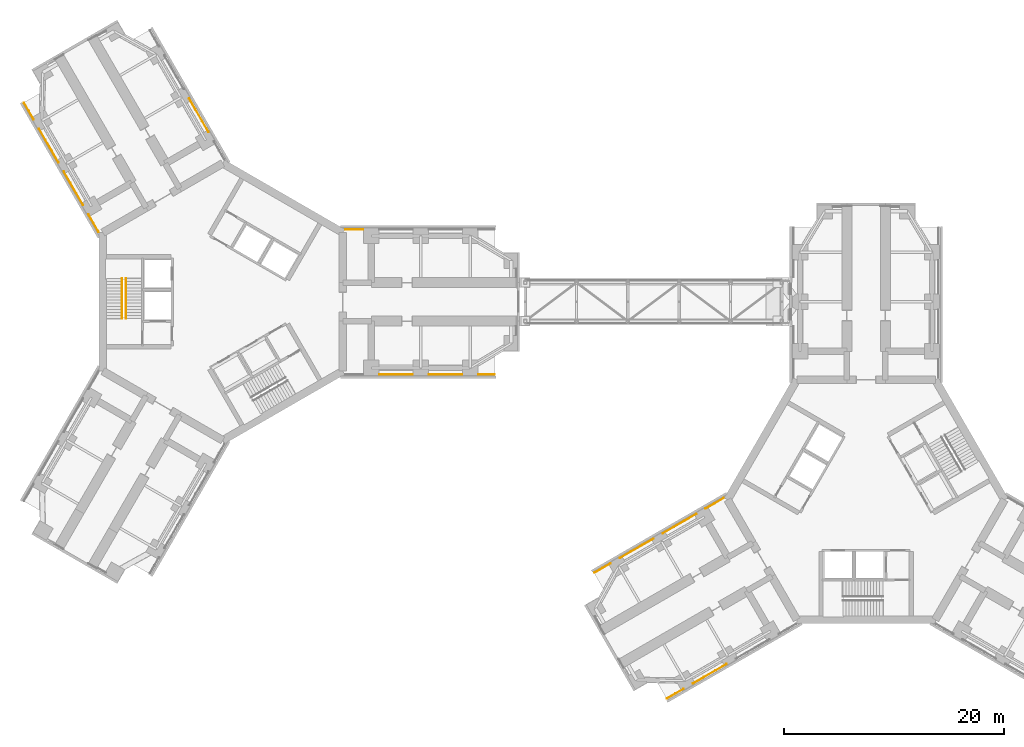
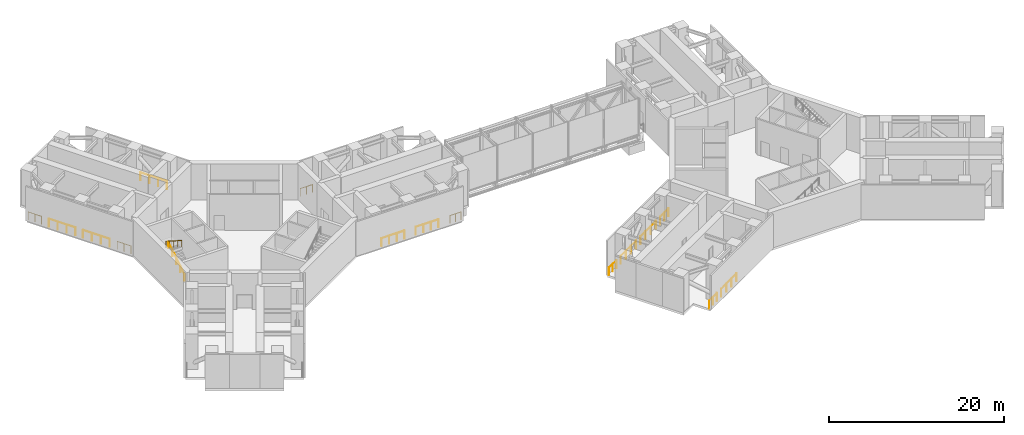
# One storey, part 15 of 17: 17 railings.
"""IFC4 building model written with IfcOpenShell, lengths in metres."""

import ifcopenshell
import ifcopenshell.guid

model = None  # the IFC model being written
_history = None  # IfcOwnerHistory: only IFC2X3 demands one
_inside = {}  # id of a spatial element -> (the spatial element, [elements in it])
_under = {}  # id of a project, library or spatial element -> (it, [spatial elements below it])
_declared = {}  # id of a project -> (the project, [libraries it declares])
_typed = {}  # id of a type object -> (the type object, [elements of that type])
_made_of = {}  # id of a material, layer set ... -> (it, [elements and type objects made of it])


def new_model(schema):
    """Start an empty IFC model of exactly this schema.

    Asked for "IFC4X3", IfcOpenShell would pick the latest addendum, in which some entities
    have other attributes; the version numbers below select the first issue.
    IFC2X3 requires an IfcOwnerHistory on every rooted entity: one is made here for all.
    """
    global model, _history
    if schema == "IFC4X3":
        model = ifcopenshell.file(schema_version=(4, 3, 0, 0))
    else:
        model = ifcopenshell.file(schema=schema)
    _inside.clear()
    _under.clear()
    _declared.clear()
    _typed.clear()
    _made_of.clear()
    _history = None
    if model.schema == "IFC2X3":
        org = make("IfcOrganization", Name="unknown")
        user = make(
            "IfcPersonAndOrganization",
            ThePerson=make("IfcPerson", FamilyName="unknown"),
            TheOrganization=org,
        )
        app = make(
            "IfcApplication",
            ApplicationDeveloper=org,
            Version="unknown",
            ApplicationFullName="unknown",
            ApplicationIdentifier="unknown",
        )
        _history = make(
            "IfcOwnerHistory",
            OwningUser=user,
            OwningApplication=app,
            ChangeAction="ADDED",
            CreationDate=0,
        )
    return model


def make(cls, **values):
    """One entity of the class cls with the attributes given. An attribute that is None is left unset."""
    return model.create_entity(
        cls, **{name: value for name, value in values.items() if value is not None}
    )


def rooted(cls, **values):
    """An entity with a GlobalId (a new one), such as an element, a storey or a relation."""
    return make(cls, GlobalId=ifcopenshell.guid.new(), OwnerHistory=_history, **values)


def si_unit(unit_type, name, prefix=None):
    """IfcSIUnit, for example si_unit("LENGTHUNIT", "METRE", prefix="MILLI")."""
    return make("IfcSIUnit", UnitType=unit_type, Prefix=prefix, Name=name)


def assignment(units):
    """IfcUnitAssignment: the units of a project."""
    return None if units is None else make("IfcUnitAssignment", Units=units)


def point(xyz):
    """IfcCartesianPoint."""
    return None if xyz is None else make("IfcCartesianPoint", Coordinates=xyz)


def direction(xyz):
    """IfcDirection."""
    return None if xyz is None else make("IfcDirection", DirectionRatios=xyz)


def frame(location, z_axis=None, x_axis=None):
    """IfcAxis2Placement3D, a coordinate frame: its origin and axes. An axis left out is left unset."""
    return make(
        "IfcAxis2Placement3D",
        Location=point(location),
        Axis=direction(z_axis),
        RefDirection=direction(x_axis),
    )


def frame_2d(location, x_axis=None):
    """IfcAxis2Placement2D, a coordinate frame in the plane: its origin and x axis."""
    return make(
        "IfcAxis2Placement2D", Location=point(location), RefDirection=direction(x_axis)
    )


def origin():
    """The frame at (0, 0, 0) with its axes left unset."""
    return frame((0.0, 0.0, 0.0))


def origin_2d():
    """The frame at (0, 0) in the plane with its x axis left unset."""
    return frame_2d((0.0, 0.0))


def place(relative_to, where):
    """IfcLocalPlacement: puts the frame where relative to a parent placement (None: the world)."""
    return make(
        "IfcLocalPlacement", PlacementRelTo=relative_to, RelativePlacement=where
    )


def context(
    kind, dimensions, precision=None, world=None, true_north=None, identifier=None
):
    """IfcGeometricRepresentationContext, for example the 3D "Model" context."""
    return make(
        "IfcGeometricRepresentationContext",
        ContextIdentifier=identifier,
        ContextType=kind,
        CoordinateSpaceDimension=dimensions,
        Precision=precision,
        WorldCoordinateSystem=world,
        TrueNorth=true_north,
    )


def subcontext(parent, identifier, kind, view, scale=None):
    """IfcGeometricRepresentationSubContext, for example "Body" below "Model"."""
    return make(
        "IfcGeometricRepresentationSubContext",
        ContextIdentifier=identifier,
        ContextType=kind,
        ParentContext=parent,
        TargetScale=scale,
        TargetView=view,
    )


def project(units=None, contexts=None):
    """IfcProject with its units and contexts."""
    return rooted(
        "IfcProject",
        Name="project",
        RepresentationContexts=contexts,
        UnitsInContext=assignment(units),
    )


def spatial(cls, under=None, at=None, **own):
    """A site, building, storey or space (cls), placed at a placement, below another one or the project."""
    s = rooted(cls, ObjectPlacement=at, **own)
    if under is not None:
        _under.setdefault(under.id(), (under, []))[1].append(s)
    return s


def profile(cls, at=None, kind="AREA", **sizes):
    """A parametric profile (cls). Its sizes go by their IFC names, for example OverallWidth=200.0."""
    return make(cls, ProfileType=kind, Position=at, **sizes)


def circle(**sizes):
    """IfcCircleProfileDef."""
    return profile("IfcCircleProfileDef", **sizes)


def extrude(swept, where, along, depth):
    """IfcExtrudedAreaSolid: the profile swept, set in the frame where, extruded along a direction by depth."""
    return make(
        "IfcExtrudedAreaSolid",
        SweptArea=swept,
        Position=where,
        ExtrudedDirection=direction(along),
        Depth=depth,
    )


def shape(context_of_items, identifier, shape_type, items):
    """IfcShapeRepresentation: the items that make up one representation, for example the "Body"."""
    return make(
        "IfcShapeRepresentation",
        ContextOfItems=context_of_items,
        RepresentationIdentifier=identifier,
        RepresentationType=shape_type,
        Items=items,
    )


def material(Name=None, Category=None):
    """IfcMaterial."""
    return make("IfcMaterial", Name=Name, Category=Category)


def made_of(thing, what):
    """Note that an element or type object is made of a material, layer set ...; save() writes the relation."""
    if what is not None:
        _made_of.setdefault(what.id(), (what, []))[1].append(thing)
    return thing


def type_object(cls, material=None, **own):
    """A type object (cls), such as IfcWallType, which elements share."""
    return made_of(rooted(cls, **own), material)


def element(
    cls,
    number,
    at=None,
    inside=None,
    cuts=None,
    type_object=None,
    material=None,
    context=None,
    identifier="Body",
    shape_type=None,
    held_by="IfcProductDefinitionShape",
    body=None,
    shapes=None,
    **own,
):
    """One element of the class cls, such as IfcWall. Its Tag is "e" and its number.

    at: its placement. inside: the storey or other place that contains it. cuts: it is an
    opening in that element (IfcRelVoidsElement). A single representation is given by context,
    identifier, shape_type and body (its items); several are given by shapes. held_by: the class
    of the entity that holds the representations. save() writes the other relations.
    """
    e = rooted(cls, Tag="e%d" % number, ObjectPlacement=at, **own)
    if body is not None:
        shapes = [shape(context, identifier, shape_type, body)]
    if shapes is not None:
        e.Representation = make(held_by, Representations=shapes)
    if inside is not None:
        _inside.setdefault(inside.id(), (inside, []))[1].append(e)
    if cuts is not None:
        rooted(
            "IfcRelVoidsElement", RelatingBuildingElement=cuts, RelatedOpeningElement=e
        )
    if type_object is not None:
        _typed.setdefault(type_object.id(), (type_object, []))[1].append(e)
    return made_of(e, material)


def aggregate(whole, parts):
    """IfcRelAggregates: a whole, such as a stair, and the parts it consists of."""
    return rooted("IfcRelAggregates", RelatingObject=whole, RelatedObjects=parts)


def save(model, path):
    """Write the relations noted so far, then the file.

    IfcRelAggregates (storeys below a building ...), IfcRelContainedInSpatialStructure (elements
    in a storey), IfcRelDefinesByType, IfcRelAssociatesMaterial and IfcRelDeclares: one each for
    every whole, place, type object, material and project.
    """
    for whole, parts in _under.values():
        aggregate(whole, parts)
    for where, things in _inside.values():
        rooted(
            "IfcRelContainedInSpatialStructure",
            RelatedElements=things,
            RelatingStructure=where,
        )
    for kind, things in _typed.values():
        rooted("IfcRelDefinesByType", RelatedObjects=things, RelatingType=kind)
    for what, things in _made_of.values():
        rooted("IfcRelAssociatesMaterial", RelatedObjects=things, RelatingMaterial=what)
    for by, libraries in _declared.values():
        rooted("IfcRelDeclares", RelatingContext=by, RelatedDefinitions=libraries)
    model.write(path)


model = new_model("IFC4")

# Units and contexts
model_context = context("Model", 3, precision=1e-05, world=origin(), true_north=direction((0.0, 1.0)))
body_context = subcontext(model_context, "Body", "Model", "MODEL_VIEW")
ifc_project = project(units=[si_unit("LENGTHUNIT", "METRE"), si_unit("AREAUNIT", "SQUARE_METRE"), si_unit("VOLUMEUNIT", "CUBIC_METRE"), si_unit("PLANEANGLEUNIT", "RADIAN"), si_unit("MASSUNIT", "GRAM", prefix="KILO")], contexts=[model_context])

# Site, building, storey
site_placement = place(None, origin())
site = spatial("IfcSite", under=ifc_project, at=site_placement, CompositionType="ELEMENT")
building_placement = place(site_placement, origin())
building = spatial("IfcBuilding", under=site, at=building_placement, Name="Upepo Twin Towers", CompositionType="ELEMENT")
storey_placement = place(building_placement, frame((0.0, 0.0, 92.5)))
storey = spatial("IfcBuildingStorey", under=building, at=storey_placement, Name="L22", CompositionType="ELEMENT", Elevation=92.5)

# Railings
ifc_material_1 = material(Name="Stainless steel and glass", Category="steel")
railing_type_1 = type_object("IfcRailingType", Name="Guard 1100", PredefinedType="GUARDRAIL", material=ifc_material_1)
railing_1_placement = place(storey_placement, frame((11.140380859375, 6.60009765625, 0.0)))
element("IfcRailing", 1, at=railing_1_placement, inside=storey, type_object=railing_type_1, Name="T1 L22 open floor guard", PredefinedType="GUARDRAIL", context=body_context, shape_type="SweptSolid", body=[
    extrude(circle(Radius=0.02392578125, at=origin_2d()), frame((0.0, 0.0, 1.076171875), z_axis=(1.0, 0.0, 0.0), x_axis=(0.0, 1.0, 0.0)), (0.0, 0.0, 1.0), 1.609619140625),
    extrude(circle(Radius=0.02099609375, at=origin_2d()), origin(), (0.0, 0.0, 1.0), 1.052001953125),
    extrude(circle(Radius=0.02099609375, at=origin_2d()), frame((0.8046875, 0.0, 0.0)), (0.0, 0.0, 1.0), 1.052001953125),
    extrude(circle(Radius=0.02099609375, at=origin_2d()), frame((1.609619140625, 0.0, 0.0)), (0.0, 0.0, 1.0), 1.052001953125),
])
for number, where, name in (
    (2, (17.25, -6.60009765625, 0.0), "T1 L22 open floor guard"),
    (3, (21.75, -6.60009765625, 0.0), "T1 L22 open floor guard"),
):
    element("IfcRailing", number, at=place(storey_placement, frame(where)), inside=storey, type_object=railing_type_1, Name=name, PredefinedType="GUARDRAIL", context=body_context, shape_type="SweptSolid", body=[
        extrude(circle(Radius=0.02392578125, at=origin_2d()), frame((0.0, 0.0, 1.076171875), z_axis=(-1.0, 0.0, 0.0), x_axis=(0.0, -1.0, 0.0)), (0.0, 0.0, 1.0), 3.0),
        extrude(circle(Radius=0.02099609375, at=origin_2d()), origin(), (0.0, 0.0, 1.0), 1.052001953125),
        extrude(circle(Radius=0.02099609375, at=origin_2d()), frame((-1.0, 0.0, 0.0)), (0.0, 0.0, 1.0), 1.052001953125),
        extrude(circle(Radius=0.02099609375, at=origin_2d()), frame((-2.0, 0.0, 0.0)), (0.0, 0.0, 1.0), 1.052001953125),
        extrude(circle(Radius=0.02099609375, at=origin_2d()), frame((-3.0, 0.0, 0.0)), (0.0, 0.0, 1.0), 1.052001953125),
    ])
railing_2_placement = place(storey_placement, frame((24.699951171875, -6.60009765625, 0.0)))
element("IfcRailing", 4, at=railing_2_placement, inside=storey, type_object=railing_type_1, Name="T1 L22 open floor guard", PredefinedType="GUARDRAIL", context=body_context, shape_type="SweptSolid", body=[
    extrude(circle(Radius=0.02392578125, at=origin_2d()), frame((0.0, 0.0, 1.076171875), z_axis=(-1.0, 0.0, 0.0), x_axis=(0.0, -1.0, 0.0)), (0.0, 0.0, 1.0), 1.449951171875),
    extrude(circle(Radius=0.02099609375, at=origin_2d()), origin(), (0.0, 0.0, 1.0), 1.052001953125),
    extrude(circle(Radius=0.02099609375, at=origin_2d()), frame((-0.72509765625, 0.0, 0.0)), (0.0, 0.0, 1.0), 1.052001953125),
    extrude(circle(Radius=0.02099609375, at=origin_2d()), frame((-1.449951171875, 0.0, 0.0)), (0.0, 0.0, 1.0), 1.052001953125),
])
railing_3_placement = place(storey_placement, frame((-17.196044921875, 16.584716796875, 0.0)))
element("IfcRailing", 5, at=railing_3_placement, inside=storey, type_object=railing_type_1, Name="T1 L22 open floor guard", PredefinedType="GUARDRAIL", context=body_context, shape_type="SweptSolid", body=[
    extrude(circle(Radius=0.02392578125, at=origin_2d()), frame((0.0, 0.0, 1.076171875), z_axis=(-0.500034342508, 0.86600557522, 0.0), x_axis=(-0.86600557522, -0.500034342508, 0.0)), (0.0, 0.0, 1.0), 1.7392578125),
    extrude(circle(Radius=0.02099609375, at=origin_2d()), origin(), (0.0, 0.0, 1.0), 1.052001953125),
    extrude(circle(Radius=0.02099609375, at=origin_2d()), frame((-0.434814453125, 0.7529296875, 0.0)), (0.0, 0.0, 1.0), 1.052001953125),
    extrude(circle(Radius=0.02099609375, at=origin_2d()), frame((-0.86962890625, 1.506103515625, 0.0)), (0.0, 0.0, 1.0), 1.052001953125),
])
for number, where, name in (
    (6, (-14.946044921875, 12.6875, 0.0), "T1 L22 open floor guard"),
    (7, (-12.696044921875, 8.790283203125, 0.0), "T1 L22 open floor guard"),
):
    element("IfcRailing", number, at=place(storey_placement, frame(where)), inside=storey, type_object=railing_type_1, Name=name, PredefinedType="GUARDRAIL", context=body_context, shape_type="SweptSolid", body=[
        extrude(circle(Radius=0.02392578125, at=origin_2d()), frame((0.0, 0.0, 1.076171875), z_axis=(-0.500040675311, 0.866001918609, 0.0), x_axis=(-0.866001918609, -0.500040675311, 0.0)), (0.0, 0.0, 1.0), 3.519775390625),
        extrude(circle(Radius=0.02099609375, at=origin_2d()), origin(), (0.0, 0.0, 1.0), 1.052001953125),
        extrude(circle(Radius=0.02099609375, at=origin_2d()), frame((-0.586669921875, 1.01611328125, 0.0)), (0.0, 0.0, 1.0), 1.052001953125),
        extrude(circle(Radius=0.02099609375, at=origin_2d()), frame((-1.17333984375, 2.031982421875, 0.0)), (0.0, 0.0, 1.0), 1.052001953125),
        extrude(circle(Radius=0.02099609375, at=origin_2d()), frame((-1.760009765625, 3.048095703125, 0.0)), (0.0, 0.0, 1.0), 1.052001953125),
    ])
railing_4_placement = place(storey_placement, frame((-11.285888671875, 6.347900390625, 0.0)))
element("IfcRailing", 8, at=railing_4_placement, inside=storey, type_object=railing_type_1, Name="T1 L22 open floor guard", PredefinedType="GUARDRAIL", context=body_context, shape_type="SweptSolid", body=[
    extrude(circle(Radius=0.02392578125, at=origin_2d()), frame((0.0, 0.0, 1.076171875), z_axis=(-0.500063165942, 0.865988931839, 0.0), x_axis=(-0.865988931839, -0.500063165942, 0.0)), (0.0, 0.0, 1.0), 1.840087890625),
    extrude(circle(Radius=0.02099609375, at=origin_2d()), origin(), (0.0, 0.0, 1.0), 1.052001953125),
    extrude(circle(Radius=0.02099609375, at=origin_2d()), frame((-0.4599609375, 0.796875, 0.0)), (0.0, 0.0, 1.0), 1.052001953125),
    extrude(circle(Radius=0.02099609375, at=origin_2d()), frame((-0.920166015625, 1.593505859375, 0.0)), (0.0, 0.0, 1.0), 1.052001953125),
])
railing_5_placement = place(storey_placement, frame((-3.053955078125, 18.489501953125, 0.0)))
element("IfcRailing", 9, at=railing_5_placement, inside=storey, type_object=railing_type_1, Name="T1 L22 open floor guard", PredefinedType="GUARDRAIL", context=body_context, shape_type="SweptSolid", body=[
    extrude(circle(Radius=0.02392578125, at=origin_2d()), frame((0.0, 0.0, 1.076171875), z_axis=(0.500040675311, -0.866001918609, 0.0), x_axis=(0.866001918609, 0.500040675311, 0.0)), (0.0, 0.0, 1.0), 3.519775390625),
    extrude(circle(Radius=0.02099609375, at=origin_2d()), origin(), (0.0, 0.0, 1.0), 1.052001953125),
    extrude(circle(Radius=0.02099609375, at=origin_2d()), frame((0.586669921875, -1.01611328125, 0.0)), (0.0, 0.0, 1.0), 1.052001953125),
    extrude(circle(Radius=0.02099609375, at=origin_2d()), frame((1.17333984375, -2.031982421875, 0.0)), (0.0, 0.0, 1.0), 1.052001953125),
    extrude(circle(Radius=0.02099609375, at=origin_2d()), frame((1.760009765625, -3.048095703125, 0.0)), (0.0, 0.0, 1.0), 1.052001953125),
])
railing_6_placement = place(storey_placement, frame((41.915283203125, -35.196044921875, 0.0)))
element("IfcRailing", 10, at=railing_6_placement, inside=storey, type_object=railing_type_1, Name="T2 L22 open floor guard", PredefinedType="GUARDRAIL", context=body_context, shape_type="SweptSolid", body=[
    extrude(circle(Radius=0.02392578125, at=origin_2d()), frame((0.0, 0.0, 1.076171875), z_axis=(-0.86600557522, -0.500034342508, 0.0), x_axis=(0.500034342508, -0.86600557522, 0.0)), (0.0, 0.0, 1.0), 1.7392578125),
    extrude(circle(Radius=0.02099609375, at=origin_2d()), origin(), (0.0, 0.0, 1.0), 1.052001953125),
    extrude(circle(Radius=0.02099609375, at=origin_2d()), frame((-0.7529296875, -0.434814453125, 0.0)), (0.0, 0.0, 1.0), 1.052001953125),
    extrude(circle(Radius=0.02099609375, at=origin_2d()), frame((-1.506103515625, -0.86962890625, 0.0)), (0.0, 0.0, 1.0), 1.052001953125),
])
railing_7_placement = place(storey_placement, frame((45.8125, -32.946044921875, 0.0)))
element("IfcRailing", 11, at=railing_7_placement, inside=storey, type_object=railing_type_1, Name="T2 L22 open floor guard", PredefinedType="GUARDRAIL", context=body_context, shape_type="SweptSolid", body=[
    extrude(circle(Radius=0.02392578125, at=origin_2d()), frame((0.0, 0.0, 1.076171875), z_axis=(-0.866001918609, -0.500040675311, 0.0), x_axis=(0.500040675311, -0.866001918609, 0.0)), (0.0, 0.0, 1.0), 3.519775390625),
    extrude(circle(Radius=0.02099609375, at=origin_2d()), origin(), (0.0, 0.0, 1.0), 1.052001953125),
    extrude(circle(Radius=0.02099609375, at=origin_2d()), frame((-1.01611328125, -0.586669921875, 0.0)), (0.0, 0.0, 1.0), 1.052001953125),
    extrude(circle(Radius=0.02099609375, at=origin_2d()), frame((-2.031982421875, -1.17333984375, 0.0)), (0.0, 0.0, 1.0), 1.052001953125),
    extrude(circle(Radius=0.02099609375, at=origin_2d()), frame((-3.048095703125, -1.760009765625, 0.0)), (0.0, 0.0, 1.0), 1.052001953125),
])
railing_8_placement = place(storey_placement, frame((33.80908203125, -24.63427734375, 0.0)))
element("IfcRailing", 12, at=railing_8_placement, inside=storey, type_object=railing_type_1, Name="T2 L22 open floor guard", PredefinedType="GUARDRAIL", context=body_context, shape_type="SweptSolid", body=[
    extrude(circle(Radius=0.02392578125, at=origin_2d()), frame((0.0, 0.0, 1.076171875), z_axis=(0.865999293341, 0.500045221889, 0.0), x_axis=(-0.500045221889, 0.865999293341, 0.0)), (0.0, 0.0, 1.0), 1.680419921875),
    extrude(circle(Radius=0.02099609375, at=origin_2d()), origin(), (0.0, 0.0, 1.0), 1.052001953125),
    extrude(circle(Radius=0.02099609375, at=origin_2d()), frame((0.7275390625, 0.420166015625, 0.0)), (0.0, 0.0, 1.0), 1.052001953125),
    extrude(circle(Radius=0.02099609375, at=origin_2d()), frame((1.455322265625, 0.84033203125, 0.0)), (0.0, 0.0, 1.0), 1.052001953125),
])
for number, where, name in (
    (13, (36.113525390625, -23.303955078125, 0.0), "T2 L22 open floor guard"),
    (14, (40.010498046875, -21.053955078125, 0.0), "T2 L22 open floor guard"),
):
    element("IfcRailing", number, at=place(storey_placement, frame(where)), inside=storey, type_object=railing_type_1, Name=name, PredefinedType="GUARDRAIL", context=body_context, shape_type="SweptSolid", body=[
        extrude(circle(Radius=0.02392578125, at=origin_2d()), frame((0.0, 0.0, 1.076171875), z_axis=(0.866001918609, 0.500040675311, 0.0), x_axis=(-0.500040675311, 0.866001918609, 0.0)), (0.0, 0.0, 1.0), 3.519775390625),
        extrude(circle(Radius=0.02099609375, at=origin_2d()), origin(), (0.0, 0.0, 1.0), 1.052001953125),
        extrude(circle(Radius=0.02099609375, at=origin_2d()), frame((1.01611328125, 0.586669921875, 0.0)), (0.0, 0.0, 1.0), 1.052001953125),
        extrude(circle(Radius=0.02099609375, at=origin_2d()), frame((2.031982421875, 1.17333984375, 0.0)), (0.0, 0.0, 1.0), 1.052001953125),
        extrude(circle(Radius=0.02099609375, at=origin_2d()), frame((3.048095703125, 1.760009765625, 0.0)), (0.0, 0.0, 1.0), 1.052001953125),
    ])
railing_9_placement = place(storey_placement, frame((43.90771484375, -18.803955078125, 0.0)))
element("IfcRailing", 15, at=railing_9_placement, inside=storey, type_object=railing_type_1, Name="T2 L22 open floor guard", PredefinedType="GUARDRAIL", context=body_context, shape_type="SweptSolid", body=[
    extrude(circle(Radius=0.02392578125, at=origin_2d()), frame((0.0, 0.0, 1.076171875), z_axis=(0.865995005868, 0.500052647041, 0.0), x_axis=(-0.500052647041, 0.865995005868, 0.0)), (0.0, 0.0, 1.0), 1.898681640625),
    extrude(circle(Radius=0.02099609375, at=origin_2d()), origin(), (0.0, 0.0, 1.0), 1.052001953125),
    extrude(circle(Radius=0.02099609375, at=origin_2d()), frame((0.822265625, 0.474609375, 0.0)), (0.0, 0.0, 1.0), 1.052001953125),
    extrude(circle(Radius=0.02099609375, at=origin_2d()), frame((1.644287109375, 0.949462890625, 0.0)), (0.0, 0.0, 1.0), 1.052001953125),
])
ifc_material_2 = material(Name="Stainless steel", Category="steel")
railing_type_2 = type_object("IfcRailingType", Name="Stair handrail 900", PredefinedType="HANDRAIL", material=ifc_material_2)
railing_10_placement = place(storey_placement, frame((-8.800048828125, -1.52001953125, 0.178466796875)))
element("IfcRailing", 16, at=railing_10_placement, inside=storey, type_object=railing_type_2, Name="T1 stair S1 L22 handrail 1", PredefinedType="HANDRAIL", context=body_context, shape_type="SweptSolid", body=[
    extrude(circle(Radius=0.02392578125, at=origin_2d()), frame((0.0, 0.0, 0.8759765625), z_axis=(0.0, 0.843127859045, 0.537713132908), x_axis=(-1.0, 0.0, 0.0)), (0.0, 0.0, 1.0), 4.3173828125),
    extrude(circle(Radius=0.02099609375, at=origin_2d()), origin(), (0.0, 0.0, 1.0), 0.851806640625),
    extrude(circle(Radius=0.02099609375, at=origin_2d()), frame((0.0, 0.91015625, 0.580322265625)), (0.0, 0.0, 1.0), 0.851806640625),
    extrude(circle(Radius=0.02099609375, at=origin_2d()), frame((0.0, 1.820068359375, 1.16064453125)), (0.0, 0.0, 1.0), 0.851806640625),
    extrude(circle(Radius=0.02099609375, at=origin_2d()), frame((0.0, 2.72998046875, 1.7412109375)), (0.0, 0.0, 1.0), 0.851806640625),
    extrude(circle(Radius=0.02099609375, at=origin_2d()), frame((0.0, 3.64013671875, 2.321533203125)), (0.0, 0.0, 1.0), 0.851806640625),
])
railing_11_placement = place(storey_placement, frame((-9.158447265625, 2.1201171875, 2.678466796875)))
element("IfcRailing", 17, at=railing_11_placement, inside=storey, type_object=railing_type_2, Name="T1 stair S1 L22 handrail 2", PredefinedType="HANDRAIL", context=body_context, shape_type="SweptSolid", body=[
    extrude(circle(Radius=0.02392578125, at=origin_2d()), frame((0.0, 0.0, 0.8759765625), z_axis=(0.0, -0.843127859045, 0.537713132908), x_axis=(1.0, 0.0, 0.0)), (0.0, 0.0, 1.0), 4.3173828125),
    extrude(circle(Radius=0.02099609375, at=origin_2d()), origin(), (0.0, 0.0, 1.0), 0.851806640625),
    extrude(circle(Radius=0.02099609375, at=origin_2d()), frame((0.0, -0.91015625, 0.580322265625)), (0.0, 0.0, 1.0), 0.851806640625),
    extrude(circle(Radius=0.02099609375, at=origin_2d()), frame((0.0, -1.820068359375, 1.16064453125)), (0.0, 0.0, 1.0), 0.851806640625),
    extrude(circle(Radius=0.02099609375, at=origin_2d()), frame((0.0, -2.72998046875, 1.7412109375)), (0.0, 0.0, 1.0), 0.851806640625),
    extrude(circle(Radius=0.02099609375, at=origin_2d()), frame((0.0, -3.64013671875, 2.321533203125)), (0.0, 0.0, 1.0), 0.851806640625),
])

save(model, "model.ifc")
